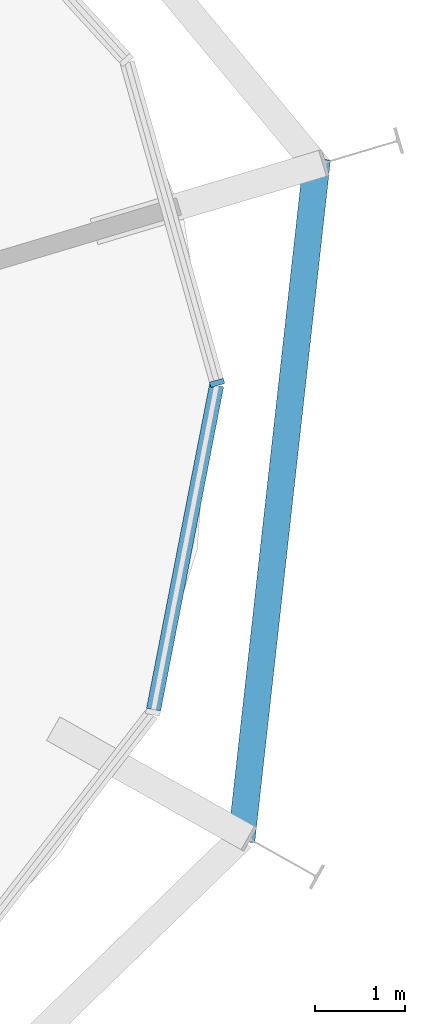
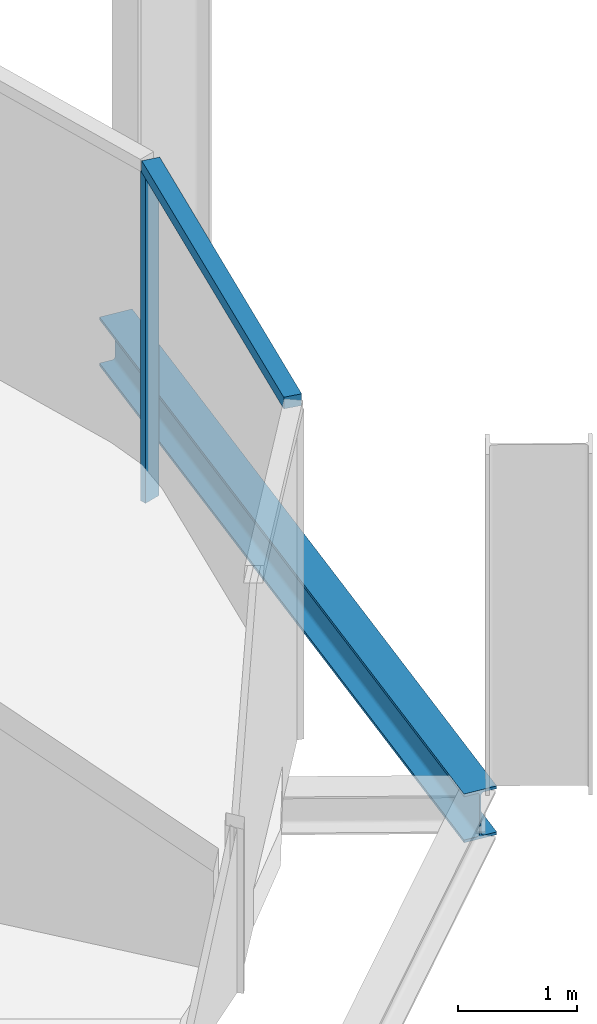
# One storey, part 5 of 18: 2 members, 1 beam, 1 element without a shape of its own.
"""IFC4 building model written with IfcOpenShell, lengths in metres."""

import ifcopenshell
import ifcopenshell.guid

model = None  # the IFC model being written
_history = None  # IfcOwnerHistory: only IFC2X3 demands one
_inside = {}  # id of a spatial element -> (the spatial element, [elements in it])
_under = {}  # id of a project, library or spatial element -> (it, [spatial elements below it])
_declared = {}  # id of a project -> (the project, [libraries it declares])
_typed = {}  # id of a type object -> (the type object, [elements of that type])
_made_of = {}  # id of a material, layer set ... -> (it, [elements and type objects made of it])


def new_model(schema):
    """Start an empty IFC model of exactly this schema.

    Asked for "IFC4X3", IfcOpenShell would pick the latest addendum, in which some entities
    have other attributes; the version numbers below select the first issue.
    IFC2X3 requires an IfcOwnerHistory on every rooted entity: one is made here for all.
    """
    global model, _history
    if schema == "IFC4X3":
        model = ifcopenshell.file(schema_version=(4, 3, 0, 0))
    else:
        model = ifcopenshell.file(schema=schema)
    _inside.clear()
    _under.clear()
    _declared.clear()
    _typed.clear()
    _made_of.clear()
    _history = None
    if model.schema == "IFC2X3":
        org = make("IfcOrganization", Name="unknown")
        user = make(
            "IfcPersonAndOrganization",
            ThePerson=make("IfcPerson", FamilyName="unknown"),
            TheOrganization=org,
        )
        app = make(
            "IfcApplication",
            ApplicationDeveloper=org,
            Version="unknown",
            ApplicationFullName="unknown",
            ApplicationIdentifier="unknown",
        )
        _history = make(
            "IfcOwnerHistory",
            OwningUser=user,
            OwningApplication=app,
            ChangeAction="ADDED",
            CreationDate=0,
        )
    return model


def make(cls, **values):
    """One entity of the class cls with the attributes given. An attribute that is None is left unset."""
    return model.create_entity(
        cls, **{name: value for name, value in values.items() if value is not None}
    )


def rooted(cls, **values):
    """An entity with a GlobalId (a new one), such as an element, a storey or a relation."""
    return make(cls, GlobalId=ifcopenshell.guid.new(), OwnerHistory=_history, **values)


def si_unit(unit_type, name, prefix=None):
    """IfcSIUnit, for example si_unit("LENGTHUNIT", "METRE", prefix="MILLI")."""
    return make("IfcSIUnit", UnitType=unit_type, Prefix=prefix, Name=name)


def assignment(units):
    """IfcUnitAssignment: the units of a project."""
    return None if units is None else make("IfcUnitAssignment", Units=units)


def point(xyz):
    """IfcCartesianPoint."""
    return None if xyz is None else make("IfcCartesianPoint", Coordinates=xyz)


def direction(xyz):
    """IfcDirection."""
    return None if xyz is None else make("IfcDirection", DirectionRatios=xyz)


def frame(location, z_axis=None, x_axis=None):
    """IfcAxis2Placement3D, a coordinate frame: its origin and axes. An axis left out is left unset."""
    return make(
        "IfcAxis2Placement3D",
        Location=point(location),
        Axis=direction(z_axis),
        RefDirection=direction(x_axis),
    )


def frame_2d(location, x_axis=None):
    """IfcAxis2Placement2D, a coordinate frame in the plane: its origin and x axis."""
    return make(
        "IfcAxis2Placement2D", Location=point(location), RefDirection=direction(x_axis)
    )


def origin():
    """The frame at (0, 0, 0) with its axes left unset."""
    return frame((0.0, 0.0, 0.0))


def origin_2d():
    """The frame at (0, 0) in the plane with its x axis left unset."""
    return frame_2d((0.0, 0.0))


def place(relative_to, where):
    """IfcLocalPlacement: puts the frame where relative to a parent placement (None: the world)."""
    return make(
        "IfcLocalPlacement", PlacementRelTo=relative_to, RelativePlacement=where
    )


def context(
    kind, dimensions, precision=None, world=None, true_north=None, identifier=None
):
    """IfcGeometricRepresentationContext, for example the 3D "Model" context."""
    return make(
        "IfcGeometricRepresentationContext",
        ContextIdentifier=identifier,
        ContextType=kind,
        CoordinateSpaceDimension=dimensions,
        Precision=precision,
        WorldCoordinateSystem=world,
        TrueNorth=true_north,
    )


def subcontext(parent, identifier, kind, view, scale=None):
    """IfcGeometricRepresentationSubContext, for example "Body" below "Model"."""
    return make(
        "IfcGeometricRepresentationSubContext",
        ContextIdentifier=identifier,
        ContextType=kind,
        ParentContext=parent,
        TargetScale=scale,
        TargetView=view,
    )


def project(units=None, contexts=None):
    """IfcProject with its units and contexts."""
    return rooted(
        "IfcProject",
        Name="project",
        RepresentationContexts=contexts,
        UnitsInContext=assignment(units),
    )


def spatial(cls, under=None, at=None, **own):
    """A site, building, storey or space (cls), placed at a placement, below another one or the project."""
    s = rooted(cls, ObjectPlacement=at, **own)
    if under is not None:
        _under.setdefault(under.id(), (under, []))[1].append(s)
    return s


def profile(cls, at=None, kind="AREA", **sizes):
    """A parametric profile (cls). Its sizes go by their IFC names, for example OverallWidth=200.0."""
    return make(cls, ProfileType=kind, Position=at, **sizes)


def rectangle(**sizes):
    """IfcRectangleProfileDef."""
    return profile("IfcRectangleProfileDef", **sizes)


def i_section(**sizes):
    """IfcIShapeProfileDef."""
    return profile("IfcIShapeProfileDef", **sizes)


def extrude(swept, where, along, depth):
    """IfcExtrudedAreaSolid: the profile swept, set in the frame where, extruded along a direction by depth."""
    return make(
        "IfcExtrudedAreaSolid",
        SweptArea=swept,
        Position=where,
        ExtrudedDirection=direction(along),
        Depth=depth,
    )


def shape(context_of_items, identifier, shape_type, items):
    """IfcShapeRepresentation: the items that make up one representation, for example the "Body"."""
    return make(
        "IfcShapeRepresentation",
        ContextOfItems=context_of_items,
        RepresentationIdentifier=identifier,
        RepresentationType=shape_type,
        Items=items,
    )


def material(Name=None, Category=None):
    """IfcMaterial."""
    return make("IfcMaterial", Name=Name, Category=Category)


def layer(
    of_material, thickness, ventilated=None, Name=None, Category=None, Priority=None
):
    """IfcMaterialLayer: one layer of a wall or slab, of a material (None: an air gap)."""
    return make(
        "IfcMaterialLayer",
        Material=of_material,
        LayerThickness=thickness,
        IsVentilated=ventilated,
        Name=Name,
        Category=Category,
        Priority=Priority,
    )


def layer_set(layers, Name=None):
    """IfcMaterialLayerSet."""
    return make("IfcMaterialLayerSet", MaterialLayers=layers, LayerSetName=Name)


def material_profile(
    of_material, cross_section, Name=None, Category=None, Priority=None
):
    """IfcMaterialProfile: a cross section and its material."""
    return make(
        "IfcMaterialProfile",
        Name=Name,
        Material=of_material,
        Profile=cross_section,
        Priority=Priority,
        Category=Category,
    )


def profile_set(profiles, Name=None, composite=None):
    """IfcMaterialProfileSet."""
    return make(
        "IfcMaterialProfileSet",
        Name=Name,
        MaterialProfiles=profiles,
        CompositeProfile=composite,
    )


def made_of(thing, what):
    """Note that an element or type object is made of a material, layer set ...; save() writes the relation."""
    if what is not None:
        _made_of.setdefault(what.id(), (what, []))[1].append(thing)
    return thing


def type_object(cls, material=None, **own):
    """A type object (cls), such as IfcWallType, which elements share."""
    return made_of(rooted(cls, **own), material)


def element(
    cls,
    number,
    at=None,
    inside=None,
    cuts=None,
    type_object=None,
    material=None,
    context=None,
    identifier="Body",
    shape_type=None,
    held_by="IfcProductDefinitionShape",
    body=None,
    shapes=None,
    **own,
):
    """One element of the class cls, such as IfcWall. Its Tag is "e" and its number.

    at: its placement. inside: the storey or other place that contains it. cuts: it is an
    opening in that element (IfcRelVoidsElement). A single representation is given by context,
    identifier, shape_type and body (its items); several are given by shapes. held_by: the class
    of the entity that holds the representations. save() writes the other relations.
    """
    e = rooted(cls, Tag="e%d" % number, ObjectPlacement=at, **own)
    if body is not None:
        shapes = [shape(context, identifier, shape_type, body)]
    if shapes is not None:
        e.Representation = make(held_by, Representations=shapes)
    if inside is not None:
        _inside.setdefault(inside.id(), (inside, []))[1].append(e)
    if cuts is not None:
        rooted(
            "IfcRelVoidsElement", RelatingBuildingElement=cuts, RelatedOpeningElement=e
        )
    if type_object is not None:
        _typed.setdefault(type_object.id(), (type_object, []))[1].append(e)
    return made_of(e, material)


def aggregate(whole, parts):
    """IfcRelAggregates: a whole, such as a stair, and the parts it consists of."""
    return rooted("IfcRelAggregates", RelatingObject=whole, RelatedObjects=parts)


def save(model, path):
    """Write the relations noted so far, then the file.

    IfcRelAggregates (storeys below a building ...), IfcRelContainedInSpatialStructure (elements
    in a storey), IfcRelDefinesByType, IfcRelAssociatesMaterial and IfcRelDeclares: one each for
    every whole, place, type object, material and project.
    """
    for whole, parts in _under.values():
        aggregate(whole, parts)
    for where, things in _inside.values():
        rooted(
            "IfcRelContainedInSpatialStructure",
            RelatedElements=things,
            RelatingStructure=where,
        )
    for kind, things in _typed.values():
        rooted("IfcRelDefinesByType", RelatedObjects=things, RelatingType=kind)
    for what, things in _made_of.values():
        rooted("IfcRelAssociatesMaterial", RelatedObjects=things, RelatingMaterial=what)
    for by, libraries in _declared.values():
        rooted("IfcRelDeclares", RelatingContext=by, RelatedDefinitions=libraries)
    model.write(path)


model = new_model("IFC4")

# Units and contexts
model_context = context("Model", 3, precision=1e-05, world=origin(), true_north=direction((0.0, 1.0)))
body_context = subcontext(model_context, "Body", "Model", "MODEL_VIEW")
ifc_project = project(units=[si_unit("LENGTHUNIT", "METRE"), si_unit("AREAUNIT", "SQUARE_METRE"), si_unit("VOLUMEUNIT", "CUBIC_METRE"), si_unit("PLANEANGLEUNIT", "RADIAN"), si_unit("MASSUNIT", "GRAM", prefix="KILO")], contexts=[model_context])

# Site, building, storey
site_placement = place(None, origin())
site = spatial("IfcSite", under=ifc_project, at=site_placement, CompositionType="ELEMENT")
building_placement = place(site_placement, origin())
building = spatial("IfcBuilding", under=site, at=building_placement, Name="Spindle Arch Residences", CompositionType="ELEMENT")
storey_placement = place(building_placement, frame((0.0, 0.0, 273.89990234375)))
storey = spatial("IfcBuildingStorey", under=building, at=storey_placement, Name="L70", CompositionType="ELEMENT", Elevation=273.89990234375)

# Curtain wall, members
ifc_material_1 = material(Name="Aluminium bronze unitised frame with tinted glass", Category="aluminium")
ifc_layer = layer(ifc_material_1, 0.159912109375)
ifc_layer_set = layer_set([ifc_layer], Name="CW-D corner wall on the fillet arcs")
curtain_wall_type = type_object("IfcCurtainWallType", Name="CW-D corner wall on the fillet arcs", PredefinedType="NOTDEFINED", material=ifc_layer_set)
curtain_wall_placement = place(storey_placement, origin())
curtain_wall = element("IfcCurtainWall", 1, at=curtain_wall_placement, inside=storey, type_object=curtain_wall_type, Name="CW-D L70 run 1", PredefinedType="NOTDEFINED")
ifc_material_2 = material(Name="Aluminium bronze anodised mullion", Category="aluminium")
ifc_material_profile_1 = material_profile(ifc_material_2, rectangle(XDim=0.159912109375, YDim=0.06005859375, at=origin_2d()), Name="MU 60x160")
ifc_profile_set_1 = profile_set([ifc_material_profile_1], Name="Aluminium bronze anodised mullion")
member_type_1 = type_object("IfcMemberType", Name="Bronze mullion 60x160", PredefinedType="MULLION", material=ifc_profile_set_1)
member_1_placement = place(storey_placement, frame((26.832763671875, 3.300048828125, -0.3798828125), z_axis=(0.0, 0.0, 1.0), x_axis=(-0.962849012696, -0.270040328007, 0.0)))
member_1 = element("IfcMember", 2, at=member_1_placement, type_object=member_type_1, Name="CW-D mullion 03", PredefinedType="MULLION", context=body_context, shape_type="SweptSolid", body=[
    extrude(rectangle(XDim=0.159912109375, YDim=0.06005859375, at=origin_2d()), origin(), (0.0, 0.0, 1.0), 3.3798828125),
])
ifc_material_3 = material(Name="Aluminium bronze anodised transom", Category="aluminium")
ifc_material_profile_2 = material_profile(ifc_material_3, rectangle(XDim=0.159912109375, YDim=0.1201171875, at=origin_2d()), Name="TR 120x160")
ifc_profile_set_2 = profile_set([ifc_material_profile_2], Name="Aluminium bronze anodised transom")
member_type_2 = type_object("IfcMemberType", Name="Bronze transom 120x160", PredefinedType="USERDEFINED", material=ifc_profile_set_2)
member_2_placement = place(storey_placement, frame((26.127197265625, -0.32861328125, 3.06005859375), z_axis=(0.190825105639, 0.981624051793, 0.0), x_axis=(-0.981624051793, 0.190825105639, 0.0)))
member_2 = element("IfcMember", 3, at=member_2_placement, type_object=member_type_2, Name="CW-D transom 02", ObjectType="TRANSOM", PredefinedType="USERDEFINED", context=body_context, shape_type="SweptSolid", body=[
    extrude(rectangle(XDim=0.159912109375, YDim=0.1201171875, at=origin_2d()), origin(), (0.0, 0.0, 1.0), 3.666748046875),
])
aggregate(curtain_wall, [member_2, member_1])

# Beam
ifc_material_4 = material(Name="Steel S460ML, intumescent coating R 120", Category="steel")
ifc_material_profile_3 = material_profile(ifc_material_4, i_section(OverallWidth=0.300048828125, OverallDepth=0.5, WebThickness=0.014404296875, FlangeThickness=0.028076171875, FilletRadius=0.027099609375, at=origin_2d()), Name="HEB 500")
ifc_profile_set_3 = profile_set([ifc_material_profile_3], Name="Steel S460ML, intumescent coating R 120")
beam_type = type_object("IfcBeamType", Name="Exoskeleton edge beam HEB 500", PredefinedType="BEAM", material=ifc_profile_set_3)
beam_placement = place(storey_placement, frame((27.102294921875, -1.793701171875, -0.6298828125), z_axis=(0.110238412097, 0.99390517279, 0.0), x_axis=(-0.99390517279, 0.110238412097, 0.0)))
element("IfcBeam", 4, at=beam_placement, inside=storey, type_object=beam_type, Name="Exoskeleton edge beam 3", PredefinedType="BEAM", context=body_context, shape_type="SweptSolid", body=[
    extrude(i_section(OverallWidth=0.300048828125, OverallDepth=0.5, WebThickness=0.014404296875, FlangeThickness=0.028076171875, FilletRadius=0.027099609375, at=origin_2d()), origin(), (0.0, 0.0, 1.0), 7.6318359375),
])

save(model, "model.ifc")
